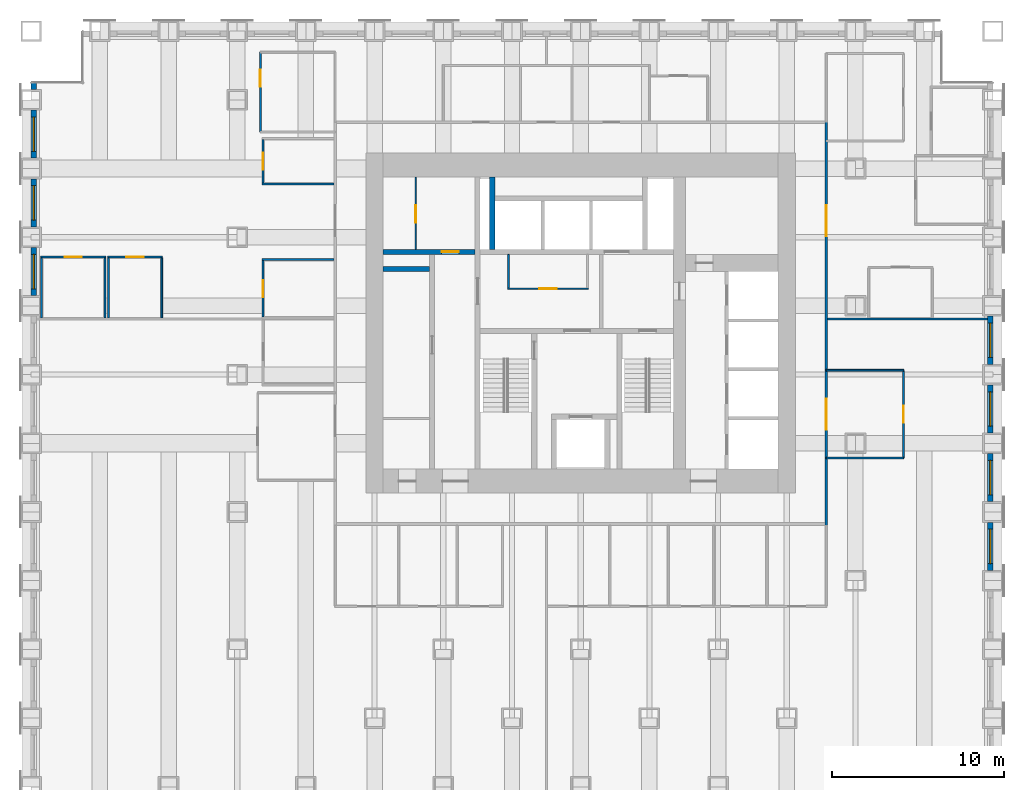
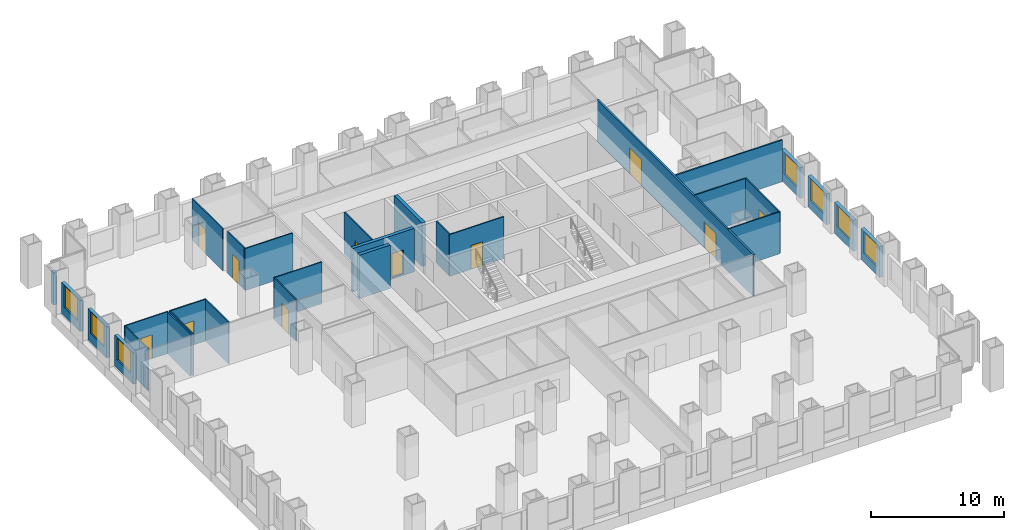
# One storey, part 11 of 15: 30 walls, 11 doors, 7 windows, 18 openings.
"""IFC4 building model written with IfcOpenShell, lengths in metres."""

from ifc_helpers import new_model, si_unit, direction, frame, frame_2d, origin, place, context, subcontext, project, spatial, rectangle, extrude, material, layer, layer_set, type_object, element, fill, save


model = new_model("IFC4")

# Units and contexts
model_context = context("Model", 3, precision=1e-05, world=origin(), true_north=direction((0.0, 1.0)))
body_context = subcontext(model_context, "Body", "Model", "MODEL_VIEW")
ifc_project = project(units=[si_unit("LENGTHUNIT", "METRE"), si_unit("AREAUNIT", "SQUARE_METRE"), si_unit("VOLUMEUNIT", "CUBIC_METRE"), si_unit("PLANEANGLEUNIT", "RADIAN"), si_unit("MASSUNIT", "GRAM", prefix="KILO")], contexts=[model_context])

# Site, building, storey
site_placement = place(None, origin())
site = spatial("IfcSite", under=ifc_project, at=site_placement, CompositionType="ELEMENT")
building_placement = place(site_placement, origin())
building = spatial("IfcBuilding", under=site, at=building_placement, Name="Rimbunsela Tower", CompositionType="ELEMENT")
storey_placement = place(building_placement, frame((0.0, 0.0, 23.0)))
storey = spatial("IfcBuildingStorey", under=building, at=storey_placement, Name="L05", CompositionType="ELEMENT", Elevation=23.0)

# Wall, opening, door
ifc_material_1 = material(Name="Concrete fc' 80 MPa", Category="concrete")
ifc_layer_1 = layer(ifc_material_1, 0.300048828125)
ifc_layer_set_1 = layer_set([ifc_layer_1], Name="Core internal wall 300")
wall_type_1 = type_object("IfcWallType", Name="Core internal wall 300", PredefinedType="SHEAR", material=ifc_layer_set_1)
wall_1_placement = place(storey_placement, frame((18.5, 31.14990234375, -0.14990234375), z_axis=(0.0, 0.0, 1.0), x_axis=(1.0, 0.0, 0.0)))
wall_1 = element("IfcWall", 1, at=wall_1_placement, inside=storey, type_object=wall_type_1, Name="Store wall", PredefinedType="SHEAR", context=body_context, shape_type="SweptSolid", body=[
    extrude(rectangle(XDim=5.35009765625, YDim=0.300048828125, at=frame_2d((2.675048828125, 0.0))), origin(), (0.0, 0.0, 1.0), 4.0),
])
opening_1_placement = place(wall_1_placement, frame((3.39990234375, 0.0, 0.14990234375)))
opening_1 = element("IfcOpeningElement", 2, at=opening_1_placement, cuts=wall_1, Name="Opening D19", PredefinedType="OPENING", context=body_context, shape_type="SweptSolid", body=[
    extrude(rectangle(XDim=1.0, YDim=2.199951171875, at=frame_2d((0.5, 1.10009765625))), frame((0.0, 0.159912109375, 0.0), z_axis=(0.0, -1.0, 0.0), x_axis=(1.0, 0.0, 0.0)), (0.0, 0.0, 1.0), 0.320068359375),
])
ifc_material_2 = material(Name="Steel door, fire rated", Category="steel")
door_type_1 = type_object("IfcDoorType", Name="Service door 1000 fire rated", OperationType="SINGLE_SWING_LEFT", PredefinedType="DOOR", material=ifc_material_2)
door_1_placement = place(opening_1_placement, origin())
door_1 = element("IfcDoor", 3, at=door_1_placement, inside=storey, type_object=door_type_1, Name="Facilities store door", OperationType="SINGLE_SWING_LEFT", OverallHeight=2.199951171875, OverallWidth=1.0, PredefinedType="DOOR", context=body_context, shape_type="SweptSolid", body=[
    extrude(rectangle(XDim=1.0, YDim=2.199951171875, at=frame_2d((0.5, 1.10009765625))), frame((0.0, 0.02490234375, 0.0), z_axis=(0.0, -1.0, 0.0), x_axis=(1.0, 0.0, 0.0)), (0.0, 0.0, 1.0), 0.050048828125),
])
fill(opening_1, door_1)

# Walls
wall_2_placement = place(storey_placement, frame((18.5, 30.14990234375, -0.14990234375), z_axis=(0.0, 0.0, 1.0), x_axis=(1.0, 0.0, 0.0)))
element("IfcWall", 4, at=wall_2_placement, inside=storey, type_object=wall_type_1, Name="Lift shaft rear west", PredefinedType="SHEAR", context=body_context, shape_type="SweptSolid", body=[
    extrude(rectangle(XDim=2.699951171875, YDim=0.300048828125, at=frame_2d((1.35009765625, 0.0))), origin(), (0.0, 0.0, 1.0), 4.0),
])
wall_3_placement = place(storey_placement, frame((24.85009765625, 31.300048828125, -0.14990234375), z_axis=(0.0, 0.0, 1.0), x_axis=(0.0, 1.0, 0.0)))
element("IfcWall", 5, at=wall_3_placement, inside=storey, type_object=wall_type_1, Name="Riser wall", PredefinedType="SHEAR", context=body_context, shape_type="SweptSolid", body=[
    extrude(rectangle(XDim=4.199951171875, YDim=0.300048828125, at=frame_2d((2.10009765625, 0.0))), origin(), (0.0, 0.0, 1.0), 4.0),
])

# Wall, opening, door
ifc_material_3 = material(Name="Concrete blockwork", Category="masonry")
ifc_layer_2 = layer(ifc_material_3, 0.10009765625)
ifc_layer_set_2 = layer_set([ifc_layer_2], Name="Core room partition 100")
wall_type_2 = type_object("IfcWallType", Name="Core room partition 100", PredefinedType="PARTITIONING", material=ifc_layer_set_2)
wall_4_placement = place(storey_placement, frame((20.39990234375, 31.300048828125, 0.0), z_axis=(0.0, 0.0, 1.0), x_axis=(0.0, 1.0, 0.0)))
wall_4 = element("IfcWall", 6, at=wall_4_placement, inside=storey, type_object=wall_type_2, Name="Tenant store wall", PredefinedType="PARTITIONING", context=body_context, shape_type="SweptSolid", body=[
    extrude(rectangle(XDim=4.199951171875, YDim=0.10009765625, at=frame_2d((2.10009765625, 0.0))), origin(), (0.0, 0.0, 1.0), 3.85009765625),
])
opening_2_placement = place(wall_4_placement, frame((1.550048828125, 0.0, 0.0)))
opening_2 = element("IfcOpeningElement", 7, at=opening_2_placement, cuts=wall_4, Name="Opening D19", PredefinedType="OPENING", context=body_context, shape_type="SweptSolid", body=[
    extrude(rectangle(XDim=1.0, YDim=2.199951171875, at=frame_2d((0.5, 1.10009765625))), frame((0.0, 0.06005859375, 0.0), z_axis=(0.0, -1.0, 0.0), x_axis=(1.0, 0.0, 0.0)), (0.0, 0.0, 1.0), 0.1201171875),
])
door_2_placement = place(opening_2_placement, origin())
door_2 = element("IfcDoor", 8, at=door_2_placement, inside=storey, type_object=door_type_1, Name="Tenant store door", OperationType="SINGLE_SWING_LEFT", OverallHeight=2.199951171875, OverallWidth=1.0, PredefinedType="DOOR", context=body_context, shape_type="SweptSolid", body=[
    extrude(rectangle(XDim=1.0, YDim=2.199951171875, at=frame_2d((0.5, 1.10009765625))), frame((0.0, 0.02490234375, 0.0), z_axis=(0.0, -1.0, 0.0), x_axis=(1.0, 0.0, 0.0)), (0.0, 0.0, 1.0), 0.050048828125),
])
fill(opening_2, door_2)

wall_5_placement = place(storey_placement, frame((25.75, 29.0, 0.0), z_axis=(0.0, 0.0, 1.0), x_axis=(1.0, 0.0, 0.0)))
wall_5 = element("IfcWall", 9, at=wall_5_placement, inside=storey, type_object=wall_type_2, Name="Lobby room wall", PredefinedType="PARTITIONING", context=body_context, shape_type="SweptSolid", body=[
    extrude(rectangle(XDim=4.699951171875, YDim=0.10009765625, at=frame_2d((2.35009765625, 0.0))), origin(), (0.0, 0.0, 1.0), 3.85009765625),
])
opening_3_placement = place(wall_5_placement, frame((1.85009765625, 0.0, 0.0)))
opening_3 = element("IfcOpeningElement", 10, at=opening_3_placement, cuts=wall_5, Name="Opening D19", PredefinedType="OPENING", context=body_context, shape_type="SweptSolid", body=[
    extrude(rectangle(XDim=1.0, YDim=2.199951171875, at=frame_2d((0.5, 1.10009765625))), frame((0.0, 0.06005859375, 0.0), z_axis=(0.0, -1.0, 0.0), x_axis=(1.0, 0.0, 0.0)), (0.0, 0.0, 1.0), 0.1201171875),
])
door_3_placement = place(opening_3_placement, origin())
door_3 = element("IfcDoor", 11, at=door_3_placement, inside=storey, type_object=door_type_1, Name="Tenant store door", OperationType="SINGLE_SWING_LEFT", OverallHeight=2.199951171875, OverallWidth=1.0, PredefinedType="DOOR", context=body_context, shape_type="SweptSolid", body=[
    extrude(rectangle(XDim=1.0, YDim=2.199951171875, at=frame_2d((0.5, 1.10009765625))), frame((0.0, 0.02490234375, 0.0), z_axis=(0.0, -1.0, 0.0), x_axis=(1.0, 0.0, 0.0)), (0.0, 0.0, 1.0), 0.050048828125),
])
fill(opening_3, door_3)

# Walls
wall_6_placement = place(storey_placement, frame((25.800048828125, 29.050048828125, 0.0), z_axis=(0.0, 0.0, 1.0), x_axis=(0.0, 1.0, 0.0)))
element("IfcWall", 12, at=wall_6_placement, inside=storey, type_object=wall_type_2, Name="Lobby room wall", PredefinedType="PARTITIONING", context=body_context, shape_type="SweptSolid", body=[
    extrude(rectangle(XDim=1.949951171875, YDim=0.10009765625, at=frame_2d((0.97509765625, 0.0))), origin(), (0.0, 0.0, 1.0), 3.85009765625),
])
ifc_material_4 = material(Name="Gypsum board on steel studs", Category="steel")
ifc_layer_3 = layer(ifc_material_4, 0.10009765625)
ifc_layer_set_3 = layer_set([ifc_layer_3], Name="Office partition 100")
wall_type_3 = type_object("IfcWallType", Name="Office partition 100", PredefinedType="PARTITIONING", material=ifc_layer_set_3)
wall_7_placement = place(storey_placement, frame((11.449951171875, 30.699951171875, 0.0), z_axis=(0.0, 0.0, 1.0), x_axis=(1.0, 0.0, 0.0)))
element("IfcWall", 13, at=wall_7_placement, inside=storey, type_object=wall_type_3, Name="Office partition", PredefinedType="PARTITIONING", context=body_context, shape_type="SweptSolid", body=[
    extrude(rectangle(XDim=4.175048828125, YDim=0.10009765625, at=frame_2d((2.08740234375, 0.0))), origin(), (0.0, 0.0, 1.0), 3.85009765625),
])

# Wall, opening, door
wall_8_placement = place(storey_placement, frame((-1.449951171875, 30.85009765625, 0.0), z_axis=(0.0, 0.0, 1.0), x_axis=(1.0, 0.0, 0.0)))
wall_8 = element("IfcWall", 14, at=wall_8_placement, inside=storey, type_object=wall_type_3, Name="Office partition", PredefinedType="PARTITIONING", context=body_context, shape_type="SweptSolid", body=[
    extrude(rectangle(XDim=3.800048828125, YDim=0.10009765625, at=frame_2d((1.89990234375, 0.0))), origin(), (0.0, 0.0, 1.0), 3.85009765625),
])
opening_4_placement = place(wall_8_placement, frame((1.39990234375, 0.0, 0.0)))
opening_4 = element("IfcOpeningElement", 15, at=opening_4_placement, cuts=wall_8, Name="Opening D17", PredefinedType="OPENING", context=body_context, shape_type="SweptSolid", body=[
    extrude(rectangle(XDim=1.0, YDim=2.199951171875, at=frame_2d((0.5, 1.10009765625))), frame((0.0, 0.06005859375, 0.0), z_axis=(0.0, -1.0, 0.0), x_axis=(1.0, 0.0, 0.0)), (0.0, 0.0, 1.0), 0.1201171875),
])
ifc_material_5 = material(Name="Glazed aluminium door", Category="aluminium")
door_type_2 = type_object("IfcDoorType", Name="Meeting room door 1000 glazed", OperationType="SINGLE_SWING_RIGHT", PredefinedType="DOOR", material=ifc_material_5)
door_4_placement = place(opening_4_placement, origin())
door_4 = element("IfcDoor", 16, at=door_4_placement, inside=storey, type_object=door_type_2, Name="Meeting room door", OperationType="SINGLE_SWING_RIGHT", OverallHeight=2.199951171875, OverallWidth=1.0, PredefinedType="DOOR", context=body_context, shape_type="SweptSolid", body=[
    extrude(rectangle(XDim=1.0, YDim=2.199951171875, at=frame_2d((0.5, 1.10009765625))), frame((0.0, 0.02490234375, 0.0), z_axis=(0.0, -1.0, 0.0), x_axis=(1.0, 0.0, 0.0)), (0.0, 0.0, 1.0), 0.050048828125),
])
fill(opening_4, door_4)

wall_9_placement = place(storey_placement, frame((2.449951171875, 30.85009765625, 0.0), z_axis=(0.0, 0.0, 1.0), x_axis=(1.0, 0.0, 0.0)))
wall_9 = element("IfcWall", 17, at=wall_9_placement, inside=storey, type_object=wall_type_3, Name="Office partition", PredefinedType="PARTITIONING", context=body_context, shape_type="SweptSolid", body=[
    extrude(rectangle(XDim=3.199951171875, YDim=0.10009765625, at=frame_2d((1.60009765625, 0.0))), origin(), (0.0, 0.0, 1.0), 3.85009765625),
])
opening_5_placement = place(wall_9_placement, frame((1.10009765625, 0.0, 0.0)))
opening_5 = element("IfcOpeningElement", 18, at=opening_5_placement, cuts=wall_9, Name="Opening D16", PredefinedType="OPENING", context=body_context, shape_type="SweptSolid", body=[
    extrude(rectangle(XDim=1.0, YDim=2.199951171875, at=frame_2d((0.5, 1.10009765625))), frame((0.0, 0.06005859375, 0.0), z_axis=(0.0, -1.0, 0.0), x_axis=(1.0, 0.0, 0.0)), (0.0, 0.0, 1.0), 0.1201171875),
])
ifc_material_6 = material(Name="Timber door", Category="wood")
door_type_3 = type_object("IfcDoorType", Name="Office door 1000", OperationType="SINGLE_SWING_LEFT", PredefinedType="DOOR", material=ifc_material_6)
door_5_placement = place(opening_5_placement, origin())
door_5 = element("IfcDoor", 19, at=door_5_placement, inside=storey, type_object=door_type_3, Name="Office door", OperationType="SINGLE_SWING_LEFT", OverallHeight=2.199951171875, OverallWidth=1.0, PredefinedType="DOOR", context=body_context, shape_type="SweptSolid", body=[
    extrude(rectangle(XDim=1.0, YDim=2.199951171875, at=frame_2d((0.5, 1.10009765625))), frame((0.0, 0.02490234375, 0.0), z_axis=(0.0, -1.0, 0.0), x_axis=(1.0, 0.0, 0.0)), (0.0, 0.0, 1.0), 0.050048828125),
])
fill(opening_5, door_5)

# Walls
wall_10_placement = place(storey_placement, frame((11.449951171875, 35.10009765625, 0.0), z_axis=(0.0, 0.0, 1.0), x_axis=(1.0, 0.0, 0.0)))
element("IfcWall", 20, at=wall_10_placement, inside=storey, type_object=wall_type_3, Name="Office partition", PredefinedType="PARTITIONING", context=body_context, shape_type="SweptSolid", body=[
    extrude(rectangle(XDim=4.175048828125, YDim=0.10009765625, at=frame_2d((2.08740234375, 0.0))), origin(), (0.0, 0.0, 1.0), 3.85009765625),
])
for number, where, z_axis, x_axis, name in (
    (21, (-1.39990234375, 27.31005859375, 0.0), (0.0, 0.0, 1.0), (0.0, 1.0, 0.0), "Office partition"),
    (22, (2.300048828125, 27.31005859375, 0.0), (0.0, 0.0, 1.0), (0.0, 1.0, 0.0), "Office partition"),
    (23, (2.5, 27.31005859375, 0.0), (0.0, 0.0, 1.0), (0.0, 1.0, 0.0), "Office partition"),
    (24, (5.60009765625, 27.31005859375, 0.0), (0.0, 0.0, 1.0), (0.0, 1.0, 0.0), "Office partition"),
):
    element("IfcWall", number, at=place(storey_placement, frame(where, z_axis=z_axis, x_axis=x_axis)), inside=storey, type_object=wall_type_3, Name=name, PredefinedType="PARTITIONING", context=body_context, shape_type="SweptSolid", body=[
        extrude(rectangle(XDim=3.489990234375, YDim=0.10009765625, at=frame_2d((1.7451171875, 0.0))), origin(), (0.0, 0.0, 1.0), 3.85009765625),
    ])

# Wall, opening, door
wall_11_placement = place(storey_placement, frame((11.5, 27.35009765625, 0.0), z_axis=(0.0, 0.0, 1.0), x_axis=(0.0, 1.0, 0.0)))
wall_11 = element("IfcWall", 25, at=wall_11_placement, inside=storey, type_object=wall_type_3, Name="Office partition", PredefinedType="PARTITIONING", context=body_context, shape_type="SweptSolid", body=[
    extrude(rectangle(XDim=3.2998046875, YDim=0.10009765625, at=frame_2d((1.64990234375, 0.0))), origin(), (0.0, 0.0, 1.0), 3.85009765625),
])
opening_6_placement = place(wall_11_placement, frame((1.14990234375, 0.0, 0.0)))
opening_6 = element("IfcOpeningElement", 26, at=opening_6_placement, cuts=wall_11, Name="Opening D16", PredefinedType="OPENING", context=body_context, shape_type="SweptSolid", body=[
    extrude(rectangle(XDim=1.0, YDim=2.199951171875, at=frame_2d((0.5, 1.10009765625))), frame((0.0, 0.06005859375, 0.0), z_axis=(0.0, -1.0, 0.0), x_axis=(1.0, 0.0, 0.0)), (0.0, 0.0, 1.0), 0.1201171875),
])
door_6_placement = place(opening_6_placement, origin())
door_6 = element("IfcDoor", 27, at=door_6_placement, inside=storey, type_object=door_type_3, Name="Office door", OperationType="SINGLE_SWING_LEFT", OverallHeight=2.199951171875, OverallWidth=1.0, PredefinedType="DOOR", context=body_context, shape_type="SweptSolid", body=[
    extrude(rectangle(XDim=1.0, YDim=2.199951171875, at=frame_2d((0.5, 1.10009765625))), frame((0.0, 0.02490234375, 0.0), z_axis=(0.0, -1.0, 0.0), x_axis=(1.0, 0.0, 0.0)), (0.0, 0.0, 1.0), 0.050048828125),
])
fill(opening_6, door_6)

wall_12_placement = place(storey_placement, frame((11.5, 35.14990234375, 0.0), z_axis=(0.0, 0.0, 1.0), x_axis=(0.0, 1.0, 0.0)))
wall_12 = element("IfcWall", 28, at=wall_12_placement, inside=storey, type_object=wall_type_3, Name="Office partition", PredefinedType="PARTITIONING", context=body_context, shape_type="SweptSolid", body=[
    extrude(rectangle(XDim=2.550048828125, YDim=0.10009765625, at=frame_2d((1.27490234375, 0.0))), origin(), (0.0, 0.0, 1.0), 3.85009765625),
])
opening_7_placement = place(wall_12_placement, frame((0.77490234375, 0.0, 0.0)))
opening_7 = element("IfcOpeningElement", 29, at=opening_7_placement, cuts=wall_12, Name="Opening D16", PredefinedType="OPENING", context=body_context, shape_type="SweptSolid", body=[
    extrude(rectangle(XDim=1.0, YDim=2.199951171875, at=frame_2d((0.5, 1.10009765625))), frame((0.0, 0.06005859375, 0.0), z_axis=(0.0, -1.0, 0.0), x_axis=(1.0, 0.0, 0.0)), (0.0, 0.0, 1.0), 0.1201171875),
])
door_7_placement = place(opening_7_placement, origin())
door_7 = element("IfcDoor", 30, at=door_7_placement, inside=storey, type_object=door_type_3, Name="Office door", OperationType="SINGLE_SWING_LEFT", OverallHeight=2.199951171875, OverallWidth=1.0, PredefinedType="DOOR", context=body_context, shape_type="SweptSolid", body=[
    extrude(rectangle(XDim=1.0, YDim=2.199951171875, at=frame_2d((0.5, 1.10009765625))), frame((0.0, 0.02490234375, 0.0), z_axis=(0.0, -1.0, 0.0), x_axis=(1.0, 0.0, 0.0)), (0.0, 0.0, 1.0), 0.050048828125),
])
fill(opening_7, door_7)

wall_13_placement = place(storey_placement, frame((11.35009765625, 42.77490234375, 0.0), z_axis=(0.0, 0.0, 1.0), x_axis=(0.0, -1.0, 0.0)))
wall_13 = element("IfcWall", 31, at=wall_13_placement, inside=storey, type_object=wall_type_3, Name="Office partition", PredefinedType="PARTITIONING", context=body_context, shape_type="SweptSolid", body=[
    extrude(rectangle(XDim=4.64990234375, YDim=0.10009765625, at=frame_2d((2.324951171875, 0.0))), origin(), (0.0, 0.0, 1.0), 3.85009765625),
])
opening_8_placement = place(wall_13_placement, frame((1.02490234375, 0.0, 0.0)))
opening_8 = element("IfcOpeningElement", 32, at=opening_8_placement, cuts=wall_13, Name="Opening D17", PredefinedType="OPENING", context=body_context, shape_type="SweptSolid", body=[
    extrude(rectangle(XDim=1.0, YDim=2.199951171875, at=frame_2d((0.5, 1.10009765625))), frame((0.0, 0.06005859375, 0.0), z_axis=(0.0, -1.0, 0.0), x_axis=(1.0, 0.0, 0.0)), (0.0, 0.0, 1.0), 0.1201171875),
])
door_8_placement = place(opening_8_placement, origin())
door_8 = element("IfcDoor", 33, at=door_8_placement, inside=storey, type_object=door_type_2, Name="Reception door", OperationType="SINGLE_SWING_RIGHT", OverallHeight=2.199951171875, OverallWidth=1.0, PredefinedType="DOOR", context=body_context, shape_type="SweptSolid", body=[
    extrude(rectangle(XDim=1.0, YDim=2.199951171875, at=frame_2d((0.5, 1.10009765625))), frame((0.0, 0.02490234375, 0.0), z_axis=(0.0, -1.0, 0.0), x_axis=(1.0, 0.0, 0.0)), (0.0, 0.0, 1.0), 0.050048828125),
])
fill(opening_8, door_8)

# Wall
wall_14_placement = place(storey_placement, frame((44.300048828125, 19.14990234375, 0.0), z_axis=(0.0, 0.0, 1.0), x_axis=(1.0, 0.0, 0.0)))
element("IfcWall", 34, at=wall_14_placement, inside=storey, type_object=wall_type_3, Name="Office partition", PredefinedType="PARTITIONING", context=body_context, shape_type="SweptSolid", body=[
    extrude(rectangle(XDim=4.5, YDim=0.10009765625, at=frame_2d((2.25, 0.0))), origin(), (0.0, 0.0, 1.0), 3.85009765625),
])

# Wall, opening, door
wall_15_placement = place(storey_placement, frame((48.800048828125, 19.14990234375, 0.0), z_axis=(0.0, 0.0, 1.0), x_axis=(0.0, 1.0, 0.0)))
wall_15 = element("IfcWall", 35, at=wall_15_placement, inside=storey, type_object=wall_type_3, Name="Office partition", PredefinedType="PARTITIONING", context=body_context, shape_type="SweptSolid", body=[
    extrude(rectangle(XDim=5.10009765625, YDim=0.10009765625, at=frame_2d((2.550048828125, 0.0))), origin(), (0.0, 0.0, 1.0), 3.85009765625),
])
opening_9_placement = place(wall_15_placement, frame((2.050048828125, 0.0, 0.0)))
opening_9 = element("IfcOpeningElement", 36, at=opening_9_placement, cuts=wall_15, Name="Opening D17", PredefinedType="OPENING", context=body_context, shape_type="SweptSolid", body=[
    extrude(rectangle(XDim=1.0, YDim=2.199951171875, at=frame_2d((0.5, 1.10009765625))), frame((0.0, 0.06005859375, 0.0), z_axis=(0.0, -1.0, 0.0), x_axis=(1.0, 0.0, 0.0)), (0.0, 0.0, 1.0), 0.1201171875),
])
door_9_placement = place(opening_9_placement, origin())
door_9 = element("IfcDoor", 37, at=door_9_placement, inside=storey, type_object=door_type_2, Name="Reception door", OperationType="SINGLE_SWING_RIGHT", OverallHeight=2.199951171875, OverallWidth=1.0, PredefinedType="DOOR", context=body_context, shape_type="SweptSolid", body=[
    extrude(rectangle(XDim=1.0, YDim=2.199951171875, at=frame_2d((0.5, 1.10009765625))), frame((0.0, 0.02490234375, 0.0), z_axis=(0.0, -1.0, 0.0), x_axis=(1.0, 0.0, 0.0)), (0.0, 0.0, 1.0), 0.050048828125),
])
fill(opening_9, door_9)

# Wall
wall_16_placement = place(storey_placement, frame((48.800048828125, 24.25, 0.0), z_axis=(0.0, 0.0, 1.0), x_axis=(-1.0, 0.0, 0.0)))
element("IfcWall", 38, at=wall_16_placement, inside=storey, type_object=wall_type_3, Name="Office partition", PredefinedType="PARTITIONING", context=body_context, shape_type="SweptSolid", body=[
    extrude(rectangle(XDim=4.5, YDim=0.10009765625, at=frame_2d((2.25, 0.0))), origin(), (0.0, 0.0, 1.0), 3.85009765625),
])

# Wall, opening, window
ifc_material_7 = material(Name="Precast concrete fc' 35 MPa", Category="concrete")
ifc_layer_4 = layer(ifc_material_7, 0.300048828125)
ifc_layer_set_4 = layer_set([ifc_layer_4], Name="Precast concrete fc' 35 MPa")
wall_type_4 = type_object("IfcWallType", Name="Precast facade panel 300", PredefinedType="ELEMENTEDWALL", material=ifc_layer_set_4)
wall_17_placement = place(storey_placement, frame((53.85009765625, 12.60009765625, 0.0), z_axis=(0.0, 0.0, 1.0), x_axis=(0.0, 1.0, 0.0)))
wall_17 = element("IfcWall", 39, at=wall_17_placement, inside=storey, type_object=wall_type_4, Name="Facade panel E L05", PredefinedType="ELEMENTEDWALL", context=body_context, shape_type="SweptSolid", body=[
    extrude(rectangle(XDim=2.7998046875, YDim=0.300048828125, at=frame_2d((1.39990234375, 0.0))), origin(), (0.0, 0.0, 1.0), 2.85009765625),
])
opening_10_placement = place(wall_17_placement, frame((0.39990234375, 0.0, 0.800048828125)))
opening_10 = element("IfcOpeningElement", 40, at=opening_10_placement, cuts=wall_17, Name="Opening W1", PredefinedType="OPENING", context=body_context, shape_type="SweptSolid", body=[
    extrude(rectangle(XDim=2.0, YDim=2.0, at=frame_2d((1.0, 1.0))), frame((0.0, 0.159912109375, 0.0), z_axis=(0.0, -1.0, 0.0), x_axis=(1.0, 0.0, 0.0)), (0.0, 0.0, 1.0), 0.320068359375),
])
ifc_material_8 = material(Name="Clear glass in aluminium frame", Category="aluminium")
window_type = type_object("IfcWindowType", Name="Window W1 2000x2000", PartitioningType="DOUBLE_PANEL_VERTICAL", PredefinedType="WINDOW", material=ifc_material_8)
window_1_placement = place(opening_10_placement, origin())
window_1 = element("IfcWindow", 41, at=window_1_placement, inside=storey, type_object=window_type, Name="Window L05", OverallHeight=2.0, OverallWidth=2.0, PartitioningType="SINGLE_PANEL", PredefinedType="WINDOW", context=body_context, shape_type="SweptSolid", body=[
    extrude(rectangle(XDim=2.0, YDim=2.0, at=frame_2d((1.0, 1.0))), frame((0.0, 0.030029296875, 0.0), z_axis=(0.0, -1.0, 0.0), x_axis=(1.0, 0.0, 0.0)), (0.0, 0.0, 1.0), 0.06005859375),
])
fill(opening_10, window_1)

wall_18_placement = place(storey_placement, frame((53.85009765625, 16.60009765625, 0.0), z_axis=(0.0, 0.0, 1.0), x_axis=(0.0, 1.0, 0.0)))
wall_18 = element("IfcWall", 42, at=wall_18_placement, inside=storey, type_object=wall_type_4, Name="Facade panel E L05", PredefinedType="ELEMENTEDWALL", context=body_context, shape_type="SweptSolid", body=[
    extrude(rectangle(XDim=2.7998046875, YDim=0.300048828125, at=frame_2d((1.39990234375, 0.0))), origin(), (0.0, 0.0, 1.0), 2.85009765625),
])
opening_11_placement = place(wall_18_placement, frame((0.39990234375, 0.0, 0.800048828125)))
opening_11 = element("IfcOpeningElement", 43, at=opening_11_placement, cuts=wall_18, Name="Opening W1", PredefinedType="OPENING", context=body_context, shape_type="SweptSolid", body=[
    extrude(rectangle(XDim=2.0, YDim=2.0, at=frame_2d((1.0, 1.0))), frame((0.0, 0.159912109375, 0.0), z_axis=(0.0, -1.0, 0.0), x_axis=(1.0, 0.0, 0.0)), (0.0, 0.0, 1.0), 0.320068359375),
])
window_2_placement = place(opening_11_placement, origin())
window_2 = element("IfcWindow", 44, at=window_2_placement, inside=storey, type_object=window_type, Name="Window L05", OverallHeight=2.0, OverallWidth=2.0, PartitioningType="SINGLE_PANEL", PredefinedType="WINDOW", context=body_context, shape_type="SweptSolid", body=[
    extrude(rectangle(XDim=2.0, YDim=2.0, at=frame_2d((1.0, 1.0))), frame((0.0, 0.030029296875, 0.0), z_axis=(0.0, -1.0, 0.0), x_axis=(1.0, 0.0, 0.0)), (0.0, 0.0, 1.0), 0.06005859375),
])
fill(opening_11, window_2)

wall_19_placement = place(storey_placement, frame((53.85009765625, 20.60009765625, 0.0), z_axis=(0.0, 0.0, 1.0), x_axis=(0.0, 1.0, 0.0)))
wall_19 = element("IfcWall", 45, at=wall_19_placement, inside=storey, type_object=wall_type_4, Name="Facade panel E L05", PredefinedType="ELEMENTEDWALL", context=body_context, shape_type="SweptSolid", body=[
    extrude(rectangle(XDim=2.7998046875, YDim=0.300048828125, at=frame_2d((1.39990234375, 0.0))), origin(), (0.0, 0.0, 1.0), 2.85009765625),
])
opening_12_placement = place(wall_19_placement, frame((0.39990234375, 0.0, 0.800048828125)))
opening_12 = element("IfcOpeningElement", 46, at=opening_12_placement, cuts=wall_19, Name="Opening W1", PredefinedType="OPENING", context=body_context, shape_type="SweptSolid", body=[
    extrude(rectangle(XDim=2.0, YDim=2.0, at=frame_2d((1.0, 1.0))), frame((0.0, 0.159912109375, 0.0), z_axis=(0.0, -1.0, 0.0), x_axis=(1.0, 0.0, 0.0)), (0.0, 0.0, 1.0), 0.320068359375),
])
window_3_placement = place(opening_12_placement, origin())
window_3 = element("IfcWindow", 47, at=window_3_placement, inside=storey, type_object=window_type, Name="Window L05", OverallHeight=2.0, OverallWidth=2.0, PartitioningType="SINGLE_PANEL", PredefinedType="WINDOW", context=body_context, shape_type="SweptSolid", body=[
    extrude(rectangle(XDim=2.0, YDim=2.0, at=frame_2d((1.0, 1.0))), frame((0.0, 0.030029296875, 0.0), z_axis=(0.0, -1.0, 0.0), x_axis=(1.0, 0.0, 0.0)), (0.0, 0.0, 1.0), 0.06005859375),
])
fill(opening_12, window_3)

wall_20_placement = place(storey_placement, frame((53.85009765625, 24.60009765625, 0.0), z_axis=(0.0, 0.0, 1.0), x_axis=(0.0, 1.0, 0.0)))
wall_20 = element("IfcWall", 48, at=wall_20_placement, inside=storey, type_object=wall_type_4, Name="Facade panel E L05", PredefinedType="ELEMENTEDWALL", context=body_context, shape_type="SweptSolid", body=[
    extrude(rectangle(XDim=2.7998046875, YDim=0.300048828125, at=frame_2d((1.39990234375, 0.0))), origin(), (0.0, 0.0, 1.0), 2.85009765625),
])
opening_13_placement = place(wall_20_placement, frame((0.39990234375, 0.0, 0.800048828125)))
opening_13 = element("IfcOpeningElement", 49, at=opening_13_placement, cuts=wall_20, Name="Opening W1", PredefinedType="OPENING", context=body_context, shape_type="SweptSolid", body=[
    extrude(rectangle(XDim=2.0, YDim=2.0, at=frame_2d((1.0, 1.0))), frame((0.0, 0.159912109375, 0.0), z_axis=(0.0, -1.0, 0.0), x_axis=(1.0, 0.0, 0.0)), (0.0, 0.0, 1.0), 0.320068359375),
])
window_4_placement = place(opening_13_placement, origin())
window_4 = element("IfcWindow", 50, at=window_4_placement, inside=storey, type_object=window_type, Name="Window L05", OverallHeight=2.0, OverallWidth=2.0, PartitioningType="SINGLE_PANEL", PredefinedType="WINDOW", context=body_context, shape_type="SweptSolid", body=[
    extrude(rectangle(XDim=2.0, YDim=2.0, at=frame_2d((1.0, 1.0))), frame((0.0, 0.030029296875, 0.0), z_axis=(0.0, -1.0, 0.0), x_axis=(1.0, 0.0, 0.0)), (0.0, 0.0, 1.0), 0.06005859375),
])
fill(opening_13, window_4)

wall_21_placement = place(storey_placement, frame((-1.85009765625, 31.39990234375, 0.0), z_axis=(0.0, 0.0, 1.0), x_axis=(0.0, -1.0, 0.0)))
wall_21 = element("IfcWall", 51, at=wall_21_placement, inside=storey, type_object=wall_type_4, Name="Facade panel W L05", PredefinedType="ELEMENTEDWALL", context=body_context, shape_type="SweptSolid", body=[
    extrude(rectangle(XDim=2.7998046875, YDim=0.300048828125, at=frame_2d((1.39990234375, 0.0))), origin(), (0.0, 0.0, 1.0), 2.85009765625),
])
opening_14_placement = place(wall_21_placement, frame((0.39990234375, 0.0, 0.800048828125)))
opening_14 = element("IfcOpeningElement", 52, at=opening_14_placement, cuts=wall_21, Name="Opening W1", PredefinedType="OPENING", context=body_context, shape_type="SweptSolid", body=[
    extrude(rectangle(XDim=2.0, YDim=2.0, at=frame_2d((1.0, 1.0))), frame((0.0, 0.159912109375, 0.0), z_axis=(0.0, -1.0, 0.0), x_axis=(1.0, 0.0, 0.0)), (0.0, 0.0, 1.0), 0.320068359375),
])
window_5_placement = place(opening_14_placement, origin())
window_5 = element("IfcWindow", 53, at=window_5_placement, inside=storey, type_object=window_type, Name="Window L05", OverallHeight=2.0, OverallWidth=2.0, PartitioningType="SINGLE_PANEL", PredefinedType="WINDOW", context=body_context, shape_type="SweptSolid", body=[
    extrude(rectangle(XDim=2.0, YDim=2.0, at=frame_2d((1.0, 1.0))), frame((0.0, 0.030029296875, 0.0), z_axis=(0.0, -1.0, 0.0), x_axis=(1.0, 0.0, 0.0)), (0.0, 0.0, 1.0), 0.06005859375),
])
fill(opening_14, window_5)

wall_22_placement = place(storey_placement, frame((-1.85009765625, 35.39990234375, 0.0), z_axis=(0.0, 0.0, 1.0), x_axis=(0.0, -1.0, 0.0)))
wall_22 = element("IfcWall", 54, at=wall_22_placement, inside=storey, type_object=wall_type_4, Name="Facade panel W L05", PredefinedType="ELEMENTEDWALL", context=body_context, shape_type="SweptSolid", body=[
    extrude(rectangle(XDim=2.7998046875, YDim=0.300048828125, at=frame_2d((1.39990234375, 0.0))), origin(), (0.0, 0.0, 1.0), 2.85009765625),
])
opening_15_placement = place(wall_22_placement, frame((0.39990234375, 0.0, 0.800048828125)))
opening_15 = element("IfcOpeningElement", 55, at=opening_15_placement, cuts=wall_22, Name="Opening W1", PredefinedType="OPENING", context=body_context, shape_type="SweptSolid", body=[
    extrude(rectangle(XDim=2.0, YDim=2.0, at=frame_2d((1.0, 1.0))), frame((0.0, 0.159912109375, 0.0), z_axis=(0.0, -1.0, 0.0), x_axis=(1.0, 0.0, 0.0)), (0.0, 0.0, 1.0), 0.320068359375),
])
window_6_placement = place(opening_15_placement, origin())
window_6 = element("IfcWindow", 56, at=window_6_placement, inside=storey, type_object=window_type, Name="Window L05", OverallHeight=2.0, OverallWidth=2.0, PartitioningType="SINGLE_PANEL", PredefinedType="WINDOW", context=body_context, shape_type="SweptSolid", body=[
    extrude(rectangle(XDim=2.0, YDim=2.0, at=frame_2d((1.0, 1.0))), frame((0.0, 0.030029296875, 0.0), z_axis=(0.0, -1.0, 0.0), x_axis=(1.0, 0.0, 0.0)), (0.0, 0.0, 1.0), 0.06005859375),
])
fill(opening_15, window_6)

wall_23_placement = place(storey_placement, frame((-1.85009765625, 39.39990234375, 0.0), z_axis=(0.0, 0.0, 1.0), x_axis=(0.0, -1.0, 0.0)))
wall_23 = element("IfcWall", 57, at=wall_23_placement, inside=storey, type_object=wall_type_4, Name="Facade panel W L05", PredefinedType="ELEMENTEDWALL", context=body_context, shape_type="SweptSolid", body=[
    extrude(rectangle(XDim=2.7998046875, YDim=0.300048828125, at=frame_2d((1.39990234375, 0.0))), origin(), (0.0, 0.0, 1.0), 2.85009765625),
])
opening_16_placement = place(wall_23_placement, frame((0.39990234375, 0.0, 0.800048828125)))
opening_16 = element("IfcOpeningElement", 58, at=opening_16_placement, cuts=wall_23, Name="Opening W1", PredefinedType="OPENING", context=body_context, shape_type="SweptSolid", body=[
    extrude(rectangle(XDim=2.0, YDim=2.0, at=frame_2d((1.0, 1.0))), frame((0.0, 0.159912109375, 0.0), z_axis=(0.0, -1.0, 0.0), x_axis=(1.0, 0.0, 0.0)), (0.0, 0.0, 1.0), 0.320068359375),
])
window_7_placement = place(opening_16_placement, origin())
window_7 = element("IfcWindow", 59, at=window_7_placement, inside=storey, type_object=window_type, Name="Window L05", OverallHeight=2.0, OverallWidth=2.0, PartitioningType="SINGLE_PANEL", PredefinedType="WINDOW", context=body_context, shape_type="SweptSolid", body=[
    extrude(rectangle(XDim=2.0, YDim=2.0, at=frame_2d((1.0, 1.0))), frame((0.0, 0.030029296875, 0.0), z_axis=(0.0, -1.0, 0.0), x_axis=(1.0, 0.0, 0.0)), (0.0, 0.0, 1.0), 0.06005859375),
])
fill(opening_16, window_7)

# Wall
wall_24_placement = place(storey_placement, frame((-1.85009765625, 40.969970703125, 0.0), z_axis=(0.0, 0.0, 1.0), x_axis=(0.0, -1.0, 0.0)))
element("IfcWall", 60, at=wall_24_placement, inside=storey, type_object=wall_type_4, Name="Facade panel W L05", PredefinedType="ELEMENTEDWALL", context=body_context, shape_type="SweptSolid", body=[
    extrude(rectangle(XDim=0.369873046875, YDim=0.300048828125, at=frame_2d((0.18505859375, 0.0))), origin(), (0.0, 0.0, 1.0), 2.949951171875),
])

# Wall, openings, doors
ifc_material_9 = material(Name="Fire-rated gypsum board on steel studs, EI 60", Category="steel")
ifc_layer_5 = layer(ifc_material_9, 0.14990234375)
ifc_layer_set_5 = layer_set([ifc_layer_5], Name="Rated corridor wall 150")
wall_type_5 = type_object("IfcWallType", Name="Rated corridor wall 150", PredefinedType="PARTITIONING", material=ifc_layer_set_5)
wall_25_placement = place(storey_placement, frame((44.300048828125, 15.22509765625, 0.0), z_axis=(0.0, 0.0, 1.0), x_axis=(0.0, 1.0, 0.0)))
wall_25 = element("IfcWall", 61, at=wall_25_placement, inside=storey, type_object=wall_type_5, Name="Corridor wall east", PredefinedType="PARTITIONING", context=body_context, shape_type="SweptSolid", body=[
    extrude(rectangle(XDim=23.5498046875, YDim=0.14990234375, at=frame_2d((11.77490234375, 0.0))), origin(), (0.0, 0.0, 1.0), 3.85009765625),
])
opening_17_placement = place(wall_25_placement, frame((5.574951171875, 0.0, 0.0)))
opening_17 = element("IfcOpeningElement", 62, at=opening_17_placement, cuts=wall_25, Name="Opening D09", PredefinedType="OPENING", context=body_context, shape_type="SweptSolid", body=[
    extrude(rectangle(XDim=1.800048828125, YDim=2.39990234375, at=frame_2d((0.89990234375, 1.199951171875))), frame((0.0, 0.0849609375, 0.0), z_axis=(0.0, -1.0, 0.0), x_axis=(1.0, 0.0, 0.0)), (0.0, 0.0, 1.0), 0.169921875),
])
opening_18_placement = place(wall_25_placement, frame((16.824951171875, 0.0, 0.0)))
opening_18 = element("IfcOpeningElement", 63, at=opening_18_placement, cuts=wall_25, Name="Opening D09", PredefinedType="OPENING", context=body_context, shape_type="SweptSolid", body=[
    extrude(rectangle(XDim=1.800048828125, YDim=2.39990234375, at=frame_2d((0.89990234375, 1.199951171875))), frame((0.0, 0.0849609375, 0.0), z_axis=(0.0, -1.0, 0.0), x_axis=(1.0, 0.0, 0.0)), (0.0, 0.0, 1.0), 0.169921875),
])
ifc_material_10 = material(Name="Glazed aluminium door, fire rated", Category="aluminium")
door_type_4 = type_object("IfcDoorType", Name="Tenancy door 1800 glazed", OperationType="DOUBLE_DOOR_DOUBLE_SWING", PredefinedType="DOOR", material=ifc_material_10)
door_10_placement = place(opening_17_placement, origin())
door_10 = element("IfcDoor", 64, at=door_10_placement, inside=storey, type_object=door_type_4, Name="Tenancy door", OperationType="DOUBLE_DOOR_DOUBLE_SWING", OverallHeight=2.39990234375, OverallWidth=1.800048828125, PredefinedType="DOOR", context=body_context, shape_type="SweptSolid", body=[
    extrude(rectangle(XDim=1.800048828125, YDim=2.39990234375, at=frame_2d((0.89990234375, 1.199951171875))), frame((0.0, 0.02490234375, 0.0), z_axis=(0.0, -1.0, 0.0), x_axis=(1.0, 0.0, 0.0)), (0.0, 0.0, 1.0), 0.050048828125),
])
fill(opening_17, door_10)
door_11_placement = place(opening_18_placement, origin())
door_11 = element("IfcDoor", 65, at=door_11_placement, inside=storey, type_object=door_type_4, Name="Tenancy door", OperationType="DOUBLE_DOOR_DOUBLE_SWING", OverallHeight=2.39990234375, OverallWidth=1.800048828125, PredefinedType="DOOR", context=body_context, shape_type="SweptSolid", body=[
    extrude(rectangle(XDim=1.800048828125, YDim=2.39990234375, at=frame_2d((0.89990234375, 1.199951171875))), frame((0.0, 0.02490234375, 0.0), z_axis=(0.0, -1.0, 0.0), x_axis=(1.0, 0.0, 0.0)), (0.0, 0.0, 1.0), 0.050048828125),
])
fill(opening_18, door_11)

# Wall
ifc_material_11 = material(Name="Gypsum board on steel studs", Category="steel")
ifc_layer_6 = layer(ifc_material_11, 0.1201171875)
ifc_layer_set_6 = layer_set([ifc_layer_6], Name="Tenancy partition 120")
wall_type_6 = type_object("IfcWallType", Name="Tenancy partition 120", PredefinedType="PARTITIONING", material=ifc_layer_set_6)
wall_26_placement = place(storey_placement, frame((44.375, 27.25, 0.0), z_axis=(0.0, 0.0, 1.0), x_axis=(1.0, 0.0, 0.0)))
element("IfcWall", 66, at=wall_26_placement, inside=storey, type_object=wall_type_6, Name="Tenancy partition", PredefinedType="PARTITIONING", context=body_context, shape_type="SweptSolid", body=[
    extrude(rectangle(XDim=9.324951171875, YDim=0.1201171875, at=frame_2d((4.66259765625, 0.0))), origin(), (0.0, 0.0, 1.0), 3.85009765625),
])

save(model, "model.ifc")
